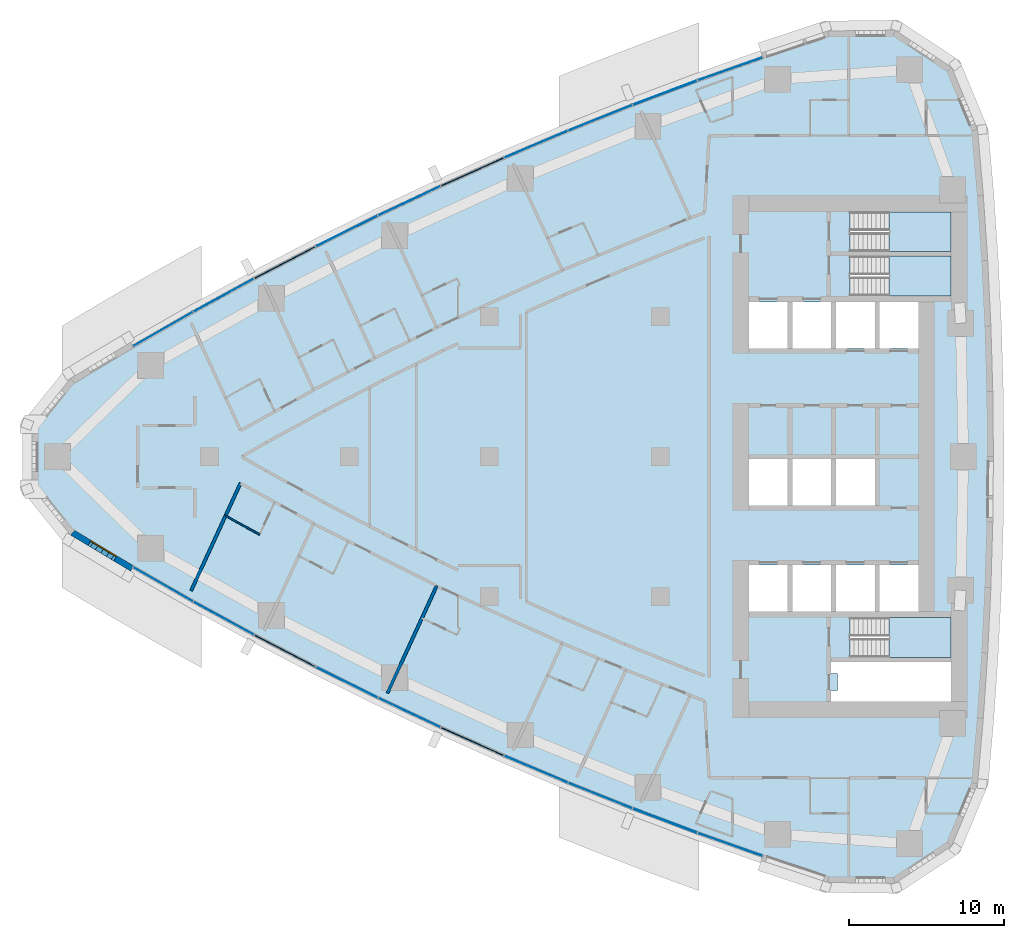
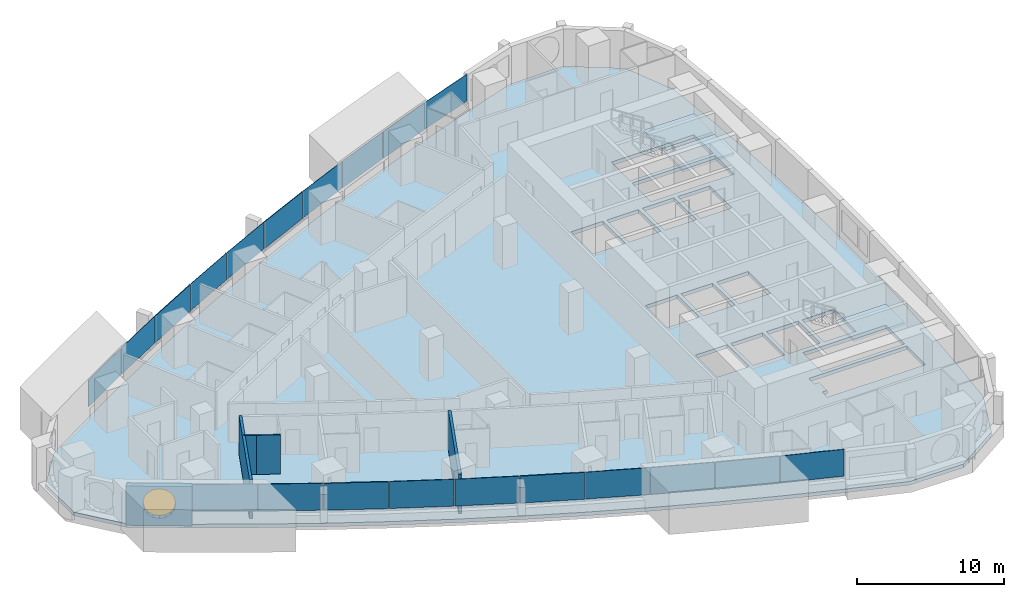
# One storey, part 7 of 17: 20 plates, 5 walls, 4 slabs, 1 window, 2 openings, 13 elements without a shape of their own.
"""IFC4 building model written with IfcOpenShell, lengths in metres."""

from ifc_helpers import new_model, si_unit, direction, frame, frame_2d, origin, origin_2d, place, context, subcontext, project, spatial, polyline, rectangle, outline, extrude, material, layer, layer_set, type_object, element, fill, aggregate, save


model = new_model("IFC4")

# Units and contexts
model_context = context("Model", 3, precision=1e-05, world=origin(), true_north=direction((0.0, 1.0)))
body_context = subcontext(model_context, "Body", "Model", "MODEL_VIEW")
ifc_project = project(units=[si_unit("LENGTHUNIT", "METRE"), si_unit("AREAUNIT", "SQUARE_METRE"), si_unit("VOLUMEUNIT", "CUBIC_METRE"), si_unit("PLANEANGLEUNIT", "RADIAN"), si_unit("MASSUNIT", "GRAM", prefix="KILO")], contexts=[model_context])

# Site, building, storey
site_placement = place(None, origin())
site = spatial("IfcSite", under=ifc_project, at=site_placement, CompositionType="ELEMENT")
building_placement = place(site_placement, origin())
building = spatial("IfcBuilding", under=site, at=building_placement, Name="Ostrand Prow Hotel Tower", CompositionType="ELEMENT")
storey_placement = place(building_placement, frame((0.0, 0.0, 113.300048828125)))
storey = spatial("IfcBuildingStorey", under=building, at=storey_placement, Name="L27", CompositionType="ELEMENT", Elevation=113.300048828125)

# Curtain wall, plates
ifc_material_1 = material(Name="Insulated glass in bronze anodised frame", Category="glass")
ifc_layer_1 = layer(ifc_material_1, 0.199951171875)
ifc_layer_set_1 = layer_set([ifc_layer_1], Name="Insulated glass in bronze anodised frame")
curtain_wall_type = type_object("IfcCurtainWallType", Name="Strip curtain wall, fritted glass over bronze spandrel", PredefinedType="NOTDEFINED", material=ifc_layer_set_1)
curtain_wall_1_placement = place(storey_placement, origin())
curtain_wall_1 = element("IfcCurtainWall", 1, at=curtain_wall_1_placement, inside=storey, type_object=curtain_wall_type, Name="CW1 run CWS1", PredefinedType="NOTDEFINED")
ifc_material_2 = material(Name="Ceramic-fritted glass", Category="glass")
ifc_layer_2 = layer(ifc_material_2, 0.031982421875)
ifc_layer_set_2 = layer_set([ifc_layer_2], Name="Ceramic-fritted glass")
plate_type_1 = type_object("IfcPlateType", Name="Dot-fritted ceramic glass unit 32 mm", PredefinedType="CURTAIN_PANEL", material=ifc_layer_set_2)
plate_1_placement = place(storey_placement, frame((13.013916015625, -8.2099609375, 1.02001953125), z_axis=(0.0, 0.0, 1.0), x_axis=(0.867684775301, -0.497114806368, 0.0)))
plate_1 = element("IfcPlate", 2, at=plate_1_placement, type_object=plate_type_1, Name="CW1 PN-D panel 1.2", PredefinedType="CURTAIN_PANEL", context=body_context, shape_type="SweptSolid", body=[
    extrude(rectangle(XDim=4.406005859375, YDim=0.031982421875, at=origin_2d()), origin(), (0.0, 0.0, 1.0), 2.22998046875),
])
plate_2_placement = place(storey_placement, frame((16.910888671875, -10.39111328125, 1.02001953125), z_axis=(0.0, 0.0, 1.0), x_axis=(0.877466978439, -0.479637052103, 0.0)))
plate_2 = element("IfcPlate", 3, at=plate_2_placement, type_object=plate_type_1, Name="CW1 PN-D panel 2.2", PredefinedType="CURTAIN_PANEL", context=body_context, shape_type="SweptSolid", body=[
    extrude(rectangle(XDim=4.406005859375, YDim=0.031982421875, at=origin_2d()), origin(), (0.0, 0.0, 1.0), 2.22998046875),
])
aggregate(curtain_wall_1, [plate_1, plate_2])

# Curtain wall, plate
curtain_wall_2_placement = place(storey_placement, origin())
curtain_wall_2 = element("IfcCurtainWall", 4, at=curtain_wall_2_placement, inside=storey, type_object=curtain_wall_type, Name="CW1 run CWS2", PredefinedType="NOTDEFINED")
plate_3_placement = place(storey_placement, frame((24.831787109375, -14.516845703125, 1.02001953125), z_axis=(0.0, 0.0, 1.0), x_axis=(0.895970803653, -0.44411295748, 0.0)))
plate_3 = element("IfcPlate", 5, at=plate_3_placement, type_object=plate_type_1, Name="CW1 PN-D panel 2.2", PredefinedType="CURTAIN_PANEL", context=body_context, shape_type="SweptSolid", body=[
    extrude(rectangle(XDim=4.406005859375, YDim=0.031982421875, at=origin_2d()), origin(), (0.0, 0.0, 1.0), 2.22998046875),
])

curtain_wall_3_placement = place(storey_placement, origin())
curtain_wall_3 = element("IfcCurtainWall", 6, at=curtain_wall_3_placement, inside=storey, type_object=curtain_wall_type, Name="CW1 run CWS3", PredefinedType="NOTDEFINED")
plate_4_placement = place(storey_placement, frame((28.852783203125, -16.4599609375, 1.02001953125), z_axis=(0.0, 0.0, 1.0), x_axis=(0.904685808958, -0.426079320162, 0.0)))
plate_4 = element("IfcPlate", 7, at=plate_4_placement, type_object=plate_type_1, Name="CW1 PN-D panel 1.2", PredefinedType="CURTAIN_PANEL", context=body_context, shape_type="SweptSolid", body=[
    extrude(rectangle(XDim=4.406005859375, YDim=0.031982421875, at=origin_2d()), origin(), (0.0, 0.0, 1.0), 2.22998046875),
])

# Curtain wall, plates
curtain_wall_4_placement = place(storey_placement, origin())
curtain_wall_4 = element("IfcCurtainWall", 8, at=curtain_wall_4_placement, inside=storey, type_object=curtain_wall_type, Name="CW1 run CWS4", PredefinedType="NOTDEFINED")
plate_5_placement = place(storey_placement, frame((37.007080078125, -20.102783203125, 1.02001953125), z_axis=(0.0, 0.0, 1.0), x_axis=(0.921023688536, -0.389506566255, 0.0)))
plate_5 = element("IfcPlate", 9, at=plate_5_placement, type_object=plate_type_1, Name="CW1 PN-D panel 1.2", PredefinedType="CURTAIN_PANEL", context=body_context, shape_type="SweptSolid", body=[
    extrude(rectangle(XDim=4.406005859375, YDim=0.031982421875, at=origin_2d()), origin(), (0.0, 0.0, 1.0), 2.22998046875),
])
plate_6_placement = place(storey_placement, frame((41.137451171875, -21.801025390625, 1.02001953125), z_axis=(0.0, 0.0, 1.0), x_axis=(0.928640008649, -0.370982121315, 0.0)))
plate_6 = element("IfcPlate", 10, at=plate_6_placement, type_object=plate_type_1, Name="CW1 PN-D panel 2.2", PredefinedType="CURTAIN_PANEL", context=body_context, shape_type="SweptSolid", body=[
    extrude(rectangle(XDim=4.406005859375, YDim=0.031982421875, at=origin_2d()), origin(), (0.0, 0.0, 1.0), 2.22998046875),
])
aggregate(curtain_wall_4, [plate_5, plate_6])

# Curtain wall, plate
curtain_wall_5_placement = place(storey_placement, origin())
curtain_wall_5 = element("IfcCurtainWall", 11, at=curtain_wall_5_placement, inside=storey, type_object=curtain_wall_type, Name="CW1 run CWS5", PredefinedType="NOTDEFINED")
plate_7_placement = place(storey_placement, frame((49.49609375, -24.947509765625, 1.02001953125), z_axis=(0.0, 0.0, 1.0), x_axis=(0.942751551748, -0.333495894542, 0.0)))
plate_7 = element("IfcPlate", 12, at=plate_7_placement, type_object=plate_type_1, Name="CW1 PN-D panel 2.2", PredefinedType="CURTAIN_PANEL", context=body_context, shape_type="SweptSolid", body=[
    extrude(rectangle(XDim=4.406005859375, YDim=0.031982421875, at=origin_2d()), origin(), (0.0, 0.0, 1.0), 2.22998046875),
])

curtain_wall_6_placement = place(storey_placement, origin())
curtain_wall_6 = element("IfcCurtainWall", 13, at=curtain_wall_6_placement, inside=storey, type_object=curtain_wall_type, Name="CW1 run CWN1", PredefinedType="NOTDEFINED")
plate_8_placement = place(storey_placement, frame((49.49609375, 24.947509765625, 1.02001953125), z_axis=(0.0, 0.0, 1.0), x_axis=(-0.942751551748, -0.333495894542, 0.0)))
plate_8 = element("IfcPlate", 14, at=plate_8_placement, type_object=plate_type_1, Name="CW1 PN-D panel 1.2", PredefinedType="CURTAIN_PANEL", context=body_context, shape_type="SweptSolid", body=[
    extrude(rectangle(XDim=4.406005859375, YDim=0.031982421875, at=origin_2d()), origin(), (0.0, 0.0, 1.0), 2.22998046875),
])

# Curtain wall, plates
curtain_wall_7_placement = place(storey_placement, origin())
curtain_wall_7 = element("IfcCurtainWall", 15, at=curtain_wall_7_placement, inside=storey, type_object=curtain_wall_type, Name="CW1 run CWN2", PredefinedType="NOTDEFINED")
plate_9_placement = place(storey_placement, frame((41.137451171875, 21.801025390625, 1.02001953125), z_axis=(0.0, 0.0, 1.0), x_axis=(-0.928640008649, -0.370982121315, 0.0)))
plate_9 = element("IfcPlate", 16, at=plate_9_placement, type_object=plate_type_1, Name="CW1 PN-D panel 1.2", PredefinedType="CURTAIN_PANEL", context=body_context, shape_type="SweptSolid", body=[
    extrude(rectangle(XDim=4.406005859375, YDim=0.031982421875, at=origin_2d()), origin(), (0.0, 0.0, 1.0), 2.22998046875),
])
plate_10_placement = place(storey_placement, frame((37.007080078125, 20.102783203125, 1.02001953125), z_axis=(0.0, 0.0, 1.0), x_axis=(-0.921023688536, -0.389506566255, 0.0)))
plate_10 = element("IfcPlate", 17, at=plate_10_placement, type_object=plate_type_1, Name="CW1 PN-D panel 2.2", PredefinedType="CURTAIN_PANEL", context=body_context, shape_type="SweptSolid", body=[
    extrude(rectangle(XDim=4.406005859375, YDim=0.031982421875, at=origin_2d()), origin(), (0.0, 0.0, 1.0), 2.22998046875),
])
aggregate(curtain_wall_7, [plate_9, plate_10])

# Curtain wall, plate
curtain_wall_8_placement = place(storey_placement, origin())
curtain_wall_8 = element("IfcCurtainWall", 18, at=curtain_wall_8_placement, inside=storey, type_object=curtain_wall_type, Name="CW1 run CWN3", PredefinedType="NOTDEFINED")
plate_11_placement = place(storey_placement, frame((28.852783203125, 16.4599609375, 1.02001953125), z_axis=(0.0, 0.0, 1.0), x_axis=(-0.904685808958, -0.426079320162, 0.0)))
plate_11 = element("IfcPlate", 19, at=plate_11_placement, type_object=plate_type_1, Name="CW1 PN-D panel 2.2", PredefinedType="CURTAIN_PANEL", context=body_context, shape_type="SweptSolid", body=[
    extrude(rectangle(XDim=4.406005859375, YDim=0.031982421875, at=origin_2d()), origin(), (0.0, 0.0, 1.0), 2.22998046875),
])

curtain_wall_9_placement = place(storey_placement, origin())
curtain_wall_9 = element("IfcCurtainWall", 20, at=curtain_wall_9_placement, inside=storey, type_object=curtain_wall_type, Name="CW1 run CWN4", PredefinedType="NOTDEFINED")
plate_12_placement = place(storey_placement, frame((24.831787109375, 14.516845703125, 1.02001953125), z_axis=(0.0, 0.0, 1.0), x_axis=(-0.895970803653, -0.44411295748, 0.0)))
plate_12 = element("IfcPlate", 21, at=plate_12_placement, type_object=plate_type_1, Name="CW1 PN-D panel 1.2", PredefinedType="CURTAIN_PANEL", context=body_context, shape_type="SweptSolid", body=[
    extrude(rectangle(XDim=4.406005859375, YDim=0.031982421875, at=origin_2d()), origin(), (0.0, 0.0, 1.0), 2.22998046875),
])

# Curtain wall, plates
curtain_wall_10_placement = place(storey_placement, origin())
curtain_wall_10 = element("IfcCurtainWall", 22, at=curtain_wall_10_placement, inside=storey, type_object=curtain_wall_type, Name="CW1 run CWN5", PredefinedType="NOTDEFINED")
plate_13_placement = place(storey_placement, frame((16.910888671875, 10.39111328125, 1.02001953125), z_axis=(0.0, 0.0, 1.0), x_axis=(-0.877466978439, -0.479637052103, 0.0)))
plate_13 = element("IfcPlate", 23, at=plate_13_placement, type_object=plate_type_1, Name="CW1 PN-D panel 1.2", PredefinedType="CURTAIN_PANEL", context=body_context, shape_type="SweptSolid", body=[
    extrude(rectangle(XDim=4.406005859375, YDim=0.031982421875, at=origin_2d()), origin(), (0.0, 0.0, 1.0), 2.22998046875),
])
plate_14_placement = place(storey_placement, frame((13.013916015625, 8.2099609375, 1.02001953125), z_axis=(0.0, 0.0, 1.0), x_axis=(-0.867684775301, -0.497114806368, 0.0)))
plate_14 = element("IfcPlate", 24, at=plate_14_placement, type_object=plate_type_1, Name="CW1 PN-D panel 2.2", PredefinedType="CURTAIN_PANEL", context=body_context, shape_type="SweptSolid", body=[
    extrude(rectangle(XDim=4.406005859375, YDim=0.031982421875, at=origin_2d()), origin(), (0.0, 0.0, 1.0), 2.22998046875),
])
aggregate(curtain_wall_10, [plate_13, plate_14])

# Plate
ifc_material_3 = material(Name="Fritted glass in bronze vent frame", Category="glass")
ifc_layer_3 = layer(ifc_material_3, 0.06005859375)
ifc_layer_set_3 = layer_set([ifc_layer_3], Name="Fritted glass in bronze vent frame")
plate_type_2 = type_object("IfcPlateType", Name="Operable vent panel 60 mm", PredefinedType="CURTAIN_PANEL", material=ifc_layer_set_3)
plate_15_placement = place(storey_placement, frame((20.8505859375, -12.49365234375, 1.02001953125), z_axis=(0.0, 0.0, 1.0), x_axis=(0.886896367661, -0.461968432937, 0.0)))
plate_15 = element("IfcPlate", 25, at=plate_15_placement, type_object=plate_type_2, Name="CW1 PN-O panel 1.2", PredefinedType="CURTAIN_PANEL", context=body_context, shape_type="SweptSolid", body=[
    extrude(rectangle(XDim=4.406005859375, YDim=0.06005859375, at=origin_2d()), origin(), (0.0, 0.0, 1.0), 2.22998046875),
])

aggregate(curtain_wall_2, [plate_15, plate_3])

plate_16_placement = place(storey_placement, frame((32.911865234375, -18.322265625, 1.02001953125), z_axis=(0.0, 0.0, 1.0), x_axis=(0.913037887435, -0.407874755419, 0.0)))
plate_16 = element("IfcPlate", 26, at=plate_16_placement, type_object=plate_type_2, Name="CW1 PN-O panel 2.2", PredefinedType="CURTAIN_PANEL", context=body_context, shape_type="SweptSolid", body=[
    extrude(rectangle(XDim=4.406005859375, YDim=0.06005859375, at=origin_2d()), origin(), (0.0, 0.0, 1.0), 2.22998046875),
])

aggregate(curtain_wall_3, [plate_4, plate_16])

plate_17_placement = place(storey_placement, frame((45.301025390625, -23.416015625, 1.02001953125), z_axis=(0.0, 0.0, 1.0), x_axis=(0.935883792387, -0.35230885193, 0.0)))
plate_17 = element("IfcPlate", 27, at=plate_17_placement, type_object=plate_type_2, Name="CW1 PN-O panel 1.2", PredefinedType="CURTAIN_PANEL", context=body_context, shape_type="SweptSolid", body=[
    extrude(rectangle(XDim=4.406005859375, YDim=0.06005859375, at=origin_2d()), origin(), (0.0, 0.0, 1.0), 2.22998046875),
])

aggregate(curtain_wall_5, [plate_17, plate_7])

plate_18_placement = place(storey_placement, frame((45.301025390625, 23.416015625, 1.02001953125), z_axis=(0.0, 0.0, 1.0), x_axis=(-0.935883792387, -0.35230885193, 0.0)))
plate_18 = element("IfcPlate", 28, at=plate_18_placement, type_object=plate_type_2, Name="CW1 PN-O panel 2.2", PredefinedType="CURTAIN_PANEL", context=body_context, shape_type="SweptSolid", body=[
    extrude(rectangle(XDim=4.406005859375, YDim=0.06005859375, at=origin_2d()), origin(), (0.0, 0.0, 1.0), 2.22998046875),
])

aggregate(curtain_wall_6, [plate_8, plate_18])

plate_19_placement = place(storey_placement, frame((32.911865234375, 18.322265625, 1.02001953125), z_axis=(0.0, 0.0, 1.0), x_axis=(-0.913037887435, -0.407874755419, 0.0)))
plate_19 = element("IfcPlate", 29, at=plate_19_placement, type_object=plate_type_2, Name="CW1 PN-O panel 1.2", PredefinedType="CURTAIN_PANEL", context=body_context, shape_type="SweptSolid", body=[
    extrude(rectangle(XDim=4.406005859375, YDim=0.06005859375, at=origin_2d()), origin(), (0.0, 0.0, 1.0), 2.22998046875),
])

aggregate(curtain_wall_8, [plate_19, plate_11])

plate_20_placement = place(storey_placement, frame((20.8505859375, 12.49365234375, 1.02001953125), z_axis=(0.0, 0.0, 1.0), x_axis=(-0.886896367661, -0.461968432937, 0.0)))
plate_20 = element("IfcPlate", 30, at=plate_20_placement, type_object=plate_type_2, Name="CW1 PN-O panel 2.2", PredefinedType="CURTAIN_PANEL", context=body_context, shape_type="SweptSolid", body=[
    extrude(rectangle(XDim=4.406005859375, YDim=0.06005859375, at=origin_2d()), origin(), (0.0, 0.0, 1.0), 2.22998046875),
])

aggregate(curtain_wall_9, [plate_12, plate_20])

# Slab, opening
ifc_material_4 = material(Name="Concrete C40/50", Category="concrete")
ifc_layer_4 = layer(ifc_material_4, 0.300048828125)
ifc_layer_set_4 = layer_set([ifc_layer_4], Name="Concrete C40/50")
slab_type_1 = type_object("IfcSlabType", Name="PT flat plate 300 C40/50", PredefinedType="FLOOR", material=ifc_layer_set_4)
slab_1_placement = place(storey_placement, frame((0.0, 0.0, -0.300048828125)))
slab_1 = element("IfcSlab", 31, at=slab_1_placement, inside=storey, type_object=slab_type_1, Name="Floor slab L27-1", PredefinedType="FLOOR", context=body_context, shape_type="SweptSolid", body=[
    extrude(outline(polyline([(7.150390625, 4.879638671875), (11.01806640625, 7.19970703125), (14.89501953125, 9.4208984375), (18.81591796875, 11.56396484375), (22.77880859375, 13.628173828125), (26.7822265625, 15.61279296875), (30.82470703125, 17.5166015625), (34.904541015625, 19.339111328125), (39.02001953125, 21.07958984375), (43.16943359375, 22.7373046875), (47.351318359375, 24.311279296875), (51.563720703125, 25.801513671875), (55.839599609375, 27.218505859375), (60.05615234375, 27.271728515625), (63.6103515625, 24.932861328125), (65.2294921875, 21.039306640625), (65.598876953125, 16.81201171875), (65.883544921875, 12.614501953125), (66.087158203125, 8.412353515625), (66.209228515625, 4.206787109375), (66.25, 0.0), (66.209228515625, -4.206787109375), (66.087158203125, -8.412353515625), (65.883544921875, -12.614501953125), (65.598876953125, -16.81201171875), (65.2294921875, -21.039306640625), (63.6103515625, -24.932861328125), (60.05615234375, -27.271728515625), (55.839599609375, -27.218505859375), (51.563720703125, -25.801513671875), (47.351318359375, -24.311279296875), (43.16943359375, -22.7373046875), (39.02001953125, -21.07958984375), (34.904541015625, -19.339111328125), (30.82470703125, -17.5166015625), (26.7822265625, -15.61279296875), (22.77880859375, -13.628173828125), (18.81591796875, -11.56396484375), (14.89501953125, -9.4208984375), (11.01806640625, -7.19970703125), (7.150390625, -4.879638671875), (4.75830078125, -1.923583984375), (4.75830078125, 1.923583984375), (7.150390625, 4.879638671875)]), holes=[polyline([(50.699951171875, 6.949951171875), (53.199951171875, 6.949951171875), (53.199951171875, 9.949951171875), (50.699951171875, 9.949951171875), (50.699951171875, 6.949951171875)]), polyline([(53.5, 6.949951171875), (56.0, 6.949951171875), (56.0, 9.949951171875), (53.5, 9.949951171875), (53.5, 6.949951171875)]), polyline([(56.300048828125, 6.949951171875), (58.800048828125, 6.949951171875), (58.800048828125, 9.949951171875), (56.300048828125, 9.949951171875), (56.300048828125, 6.949951171875)]), polyline([(59.10009765625, 6.949951171875), (61.60009765625, 6.949951171875), (61.60009765625, 9.949951171875), (59.10009765625, 9.949951171875), (59.10009765625, 6.949951171875)]), polyline([(50.699951171875, -3.14990234375), (53.199951171875, -3.14990234375), (53.199951171875, -0.14990234375), (50.699951171875, -0.14990234375), (50.699951171875, -3.14990234375)]), polyline([(53.5, -3.14990234375), (56.0, -3.14990234375), (56.0, -0.14990234375), (53.5, -0.14990234375), (53.5, -3.14990234375)]), polyline([(56.300048828125, -3.14990234375), (58.800048828125, -3.14990234375), (58.800048828125, -0.14990234375), (56.300048828125, -0.14990234375), (56.300048828125, -3.14990234375)]), polyline([(50.699951171875, -9.949951171875), (53.199951171875, -9.949951171875), (53.199951171875, -6.949951171875), (50.699951171875, -6.949951171875), (50.699951171875, -9.949951171875)]), polyline([(53.5, -9.949951171875), (56.0, -9.949951171875), (56.0, -6.949951171875), (53.5, -6.949951171875), (53.5, -9.949951171875)]), polyline([(56.300048828125, -9.949951171875), (58.800048828125, -9.949951171875), (58.800048828125, -6.949951171875), (56.300048828125, -6.949951171875), (56.300048828125, -9.949951171875)]), polyline([(59.10009765625, -9.949951171875), (61.60009765625, -9.949951171875), (61.60009765625, -6.949951171875), (59.10009765625, -6.949951171875), (59.10009765625, -9.949951171875)]), polyline([(57.200927734375, 10.35107421875), (57.200927734375, 12.89892578125), (63.718994140625, 12.89892578125), (63.718994140625, 10.35107421875), (57.200927734375, 10.35107421875)]), polyline([(57.200927734375, 13.200927734375), (57.200927734375, 15.7490234375), (63.718994140625, 15.7490234375), (63.718994140625, 13.200927734375), (57.200927734375, 13.200927734375)]), polyline([(57.200927734375, -12.89892578125), (57.200927734375, -10.35107421875), (63.718994140625, -10.35107421875), (63.718994140625, -12.89892578125), (57.200927734375, -12.89892578125)]), polyline([(56.0, -13.199951171875), (63.719970703125, -13.199951171875), (63.719970703125, -15.75), (56.0, -15.75), (56.0, -15.050048828125), (56.39990234375, -15.050048828125), (56.39990234375, -13.949951171875), (56.0, -13.949951171875), (56.0, -13.199951171875)])]), origin(), (0.0, 0.0, 1.0), 0.300048828125),
])
opening_1_placement = place(slab_1_placement, origin())
element("IfcOpeningElement", 32, at=opening_1_placement, cuts=slab_1, Name="Shaft opening 1", PredefinedType="OPENING", context=body_context, shape_type="SweptSolid", body=[
    extrude(outline(polyline([(56.0, -13.199951171875), (63.719970703125, -13.199951171875), (63.719970703125, -15.75), (56.0, -15.75), (56.0, -15.050048828125), (56.39990234375, -15.050048828125), (56.39990234375, -13.949951171875), (56.0, -13.949951171875), (56.0, -13.199951171875)])), origin(), (0.0, 0.0, 1.0), 0.300048828125),
])

# Stair, slab
ifc_material_5 = material(Name="Concrete C40/50", Category="concrete")
stair_type = type_object("IfcStairType", Name="Exit stair 1200 upper zone", PredefinedType="HALF_TURN_STAIR", material=ifc_material_5)
stair_1_placement = place(storey_placement, origin())
stair_1 = element("IfcStair", 33, at=stair_1_placement, inside=storey, type_object=stair_type, Name="L27 ST1C", PredefinedType="HALF_TURN_STAIR")
ifc_material_6 = material(Name="Concrete C40/50", Category="concrete")
ifc_layer_5 = layer(ifc_material_6, 0.199951171875)
ifc_layer_set_5 = layer_set([ifc_layer_5], Name="Concrete C40/50")
slab_type_2 = type_object("IfcSlabType", Name="Stair landing 200 concrete", PredefinedType="LANDING", material=ifc_layer_set_5)
slab_2_placement = place(storey_placement, frame((0.0, 0.0, 1.574951171875)))
slab_2 = element("IfcSlab", 34, at=slab_2_placement, type_object=slab_type_2, Name="ST1C landing 1", PredefinedType="LANDING", context=body_context, shape_type="SweptSolid", body=[
    extrude(outline(polyline([(59.719970703125, 10.35009765625), (63.719970703125, 10.35009765625), (63.719970703125, 12.89990234375), (59.719970703125, 12.89990234375), (59.719970703125, 10.35009765625)])), origin(), (0.0, 0.0, 1.0), 0.199951171875),
])
aggregate(stair_1, [slab_2])

stair_2_placement = place(storey_placement, origin())
stair_2 = element("IfcStair", 35, at=stair_2_placement, inside=storey, type_object=stair_type, Name="L27 ST3C", PredefinedType="HALF_TURN_STAIR")
slab_3_placement = place(storey_placement, frame((0.0, 0.0, 1.574951171875)))
slab_3 = element("IfcSlab", 36, at=slab_3_placement, type_object=slab_type_2, Name="ST3C landing 1", PredefinedType="LANDING", context=body_context, shape_type="SweptSolid", body=[
    extrude(outline(polyline([(59.719970703125, 13.199951171875), (63.719970703125, 13.199951171875), (63.719970703125, 15.75), (59.719970703125, 15.75), (59.719970703125, 13.199951171875)])), origin(), (0.0, 0.0, 1.0), 0.199951171875),
])
aggregate(stair_2, [slab_3])

stair_3_placement = place(storey_placement, origin())
stair_3 = element("IfcStair", 37, at=stair_3_placement, inside=storey, type_object=stair_type, Name="L27 ST2C", PredefinedType="HALF_TURN_STAIR")
slab_4_placement = place(storey_placement, frame((0.0, 0.0, 1.574951171875)))
slab_4 = element("IfcSlab", 38, at=slab_4_placement, type_object=slab_type_2, Name="ST2C landing 1", PredefinedType="LANDING", context=body_context, shape_type="SweptSolid", body=[
    extrude(outline(polyline([(59.719970703125, -12.89990234375), (63.719970703125, -12.89990234375), (63.719970703125, -10.35009765625), (59.719970703125, -10.35009765625), (59.719970703125, -12.89990234375)])), origin(), (0.0, 0.0, 1.0), 0.199951171875),
])
aggregate(stair_3, [slab_4])

# Walls
ifc_material_7 = material(Name="Plasterboard partition")
ifc_layer_6 = layer(ifc_material_7, 0.10009765625)
ifc_layer_set_6 = layer_set([ifc_layer_6], Name="Plasterboard partition")
wall_type_1 = type_object("IfcWallType", Name="Partition 100 bathroom wall", PredefinedType="PARTITIONING", material=ifc_layer_set_6)
wall_1_placement = place(storey_placement, frame((19.2275390625, -5.00830078125, 0.0), z_axis=(0.0, 0.0, 1.0), x_axis=(-0.877424481957, 0.479714788663, 0.0)))
element("IfcWall", 39, at=wall_1_placement, inside=storey, type_object=wall_type_1, Name="BATHROOM WALL", PredefinedType="PARTITIONING", context=body_context, shape_type="SweptSolid", body=[
    extrude(rectangle(XDim=1.62548828125, YDim=0.10009765625, at=frame_2d((0.812744140625, 0.0))), origin(), (0.0, 0.0, 1.0), 3.25),
])
wall_2_placement = place(storey_placement, frame((17.80126953125, -4.228515625, 0.0), z_axis=(0.0, 0.0, 1.0), x_axis=(-0.867629162742, 0.497211862248, 0.0)))
element("IfcWall", 40, at=wall_2_placement, inside=storey, type_object=wall_type_1, Name="BATHROOM WALL", PredefinedType="PARTITIONING", context=body_context, shape_type="SweptSolid", body=[
    extrude(rectangle(XDim=0.8818359375, YDim=0.10009765625, at=frame_2d((0.44091796875, 0.0))), origin(), (0.0, 0.0, 1.0), 3.25),
])
ifc_material_8 = material(Name="Plasterboard partition")
ifc_layer_7 = layer(ifc_material_8, 0.199951171875)
ifc_layer_set_7 = layer_set([ifc_layer_7], Name="Plasterboard partition")
wall_type_2 = type_object("IfcWallType", Name="Partition 200 key partition", PredefinedType="PARTITIONING", material=ifc_layer_set_7)
wall_3_placement = place(storey_placement, frame((14.814697265625, -8.625732421875, 0.0), z_axis=(0.0, 0.0, 1.0), x_axis=(0.417432341259, 0.908708006166, 0.0)))
element("IfcWall", 41, at=wall_3_placement, inside=storey, type_object=wall_type_2, Name="KEY PARTITION", PredefinedType="PARTITIONING", context=body_context, shape_type="SweptSolid", body=[
    extrude(rectangle(XDim=7.630615234375, YDim=0.199951171875, at=frame_2d((3.8154296875, 0.0))), origin(), (0.0, 0.0, 1.0), 3.25),
])
wall_4_placement = place(storey_placement, frame((27.449462890625, -15.20849609375, 0.0), z_axis=(0.0, 0.0, 1.0), x_axis=(0.417429919618, 0.90870911859, 0.0)))
element("IfcWall", 42, at=wall_4_placement, inside=storey, type_object=wall_type_2, Name="KEY PARTITION", PredefinedType="PARTITIONING", context=body_context, shape_type="SweptSolid", body=[
    extrude(rectangle(XDim=7.600341796875, YDim=0.199951171875, at=frame_2d((3.80029296875, 0.0))), origin(), (0.0, 0.0, 1.0), 3.25),
])

# Wall, opening, window
ifc_material_9 = material(Name="Precast concrete C40/50", Category="concrete")
ifc_layer_8 = layer(ifc_material_9, 0.39990234375)
ifc_layer_set_8 = layer_set([ifc_layer_8], Name="Precast concrete C40/50")
wall_type_3 = type_object("IfcWallType", Name="Stone-faced precast wall 400 mm", PredefinedType="NOTDEFINED", material=ifc_layer_set_8)
wall_5_placement = place(storey_placement, frame((7.1943359375, -4.8876953125, 0.0), z_axis=(0.0, 0.0, 1.0), x_axis=(0.857550776474, -0.514399325202, 0.0)))
wall_5 = element("IfcWall", 43, at=wall_5_placement, inside=storey, type_object=wall_type_3, Name="Stone-faced wall prow 5", PredefinedType="NOTDEFINED", context=body_context, shape_type="SweptSolid", body=[
    extrude(outline(polyline([(-0.035400390625, -0.199951171875), (4.468017578125, -0.199951171875), (4.468017578125, 0.199951171875), (0.035400390625, 0.199951171875), (-0.035400390625, -0.199951171875)])), origin(), (0.0, 0.0, 1.0), 3.25),
])
opening_2_placement = place(wall_5_placement, frame((1.134033203125, 0.0, 0.60009765625)))
opening_2 = element("IfcOpeningElement", 44, at=opening_2_placement, cuts=wall_5, Name="Opening WP1", PredefinedType="OPENING", context=body_context, shape_type="SweptSolid", body=[
    extrude(outline(polyline([(0.0, 1.35009765625), (0.083740234375, 1.77099609375), (0.322265625, 2.127685546875), (0.678955078125, 2.3662109375), (1.10009765625, 2.449951171875), (1.52099609375, 2.3662109375), (1.877685546875, 2.127685546875), (2.1162109375, 1.77099609375), (2.199951171875, 1.35009765625), (2.199951171875, 1.10009765625), (2.1162109375, 0.678955078125), (1.877685546875, 0.322265625), (1.52099609375, 0.083740234375), (1.10009765625, 0.0), (0.678955078125, 0.083740234375), (0.322265625, 0.322265625), (0.083740234375, 0.678955078125), (0.0, 1.099853515625), (0.0, 1.35009765625)])), frame((0.0, 0.2099609375, 0.0), z_axis=(0.0, -1.0, 0.0), x_axis=(1.0, 0.0, 0.0)), (0.0, 0.0, 1.0), 0.419921875),
])
ifc_material_10 = material(Name="Insulated glass in bronze frame", Category="glass")
window_type = type_object("IfcWindowType", Name="Round-ended prow window 2200x2450", PartitioningType="SINGLE_PANEL", PredefinedType="WINDOW", material=ifc_material_10)
window_placement = place(opening_2_placement, origin())
window = element("IfcWindow", 45, at=window_placement, inside=storey, type_object=window_type, Name="Window prow 5.1", OverallHeight=2.449951171875, OverallWidth=2.199951171875, PartitioningType="SINGLE_PANEL", PredefinedType="WINDOW", context=body_context, shape_type="SweptSolid", body=[
    extrude(outline(polyline([(0.0, 1.35009765625), (0.083740234375, 1.77099609375), (0.322265625, 2.127685546875), (0.678955078125, 2.3662109375), (1.10009765625, 2.449951171875), (1.52099609375, 2.3662109375), (1.877685546875, 2.127685546875), (2.1162109375, 1.77099609375), (2.199951171875, 1.35009765625), (2.199951171875, 1.10009765625), (2.1162109375, 0.678955078125), (1.877685546875, 0.322265625), (1.52099609375, 0.083740234375), (1.10009765625, 0.0), (0.678955078125, 0.083740234375), (0.322265625, 0.322265625), (0.083740234375, 0.678955078125), (0.0, 1.099853515625), (0.0, 1.35009765625)])), frame((0.0, 0.169921875, 0.0), z_axis=(0.0, -1.0, 0.0), x_axis=(1.0, 0.0, 0.0)), (0.0, 0.0, 1.0), 0.06005859375),
])
fill(opening_2, window)

save(model, "model.ifc")
